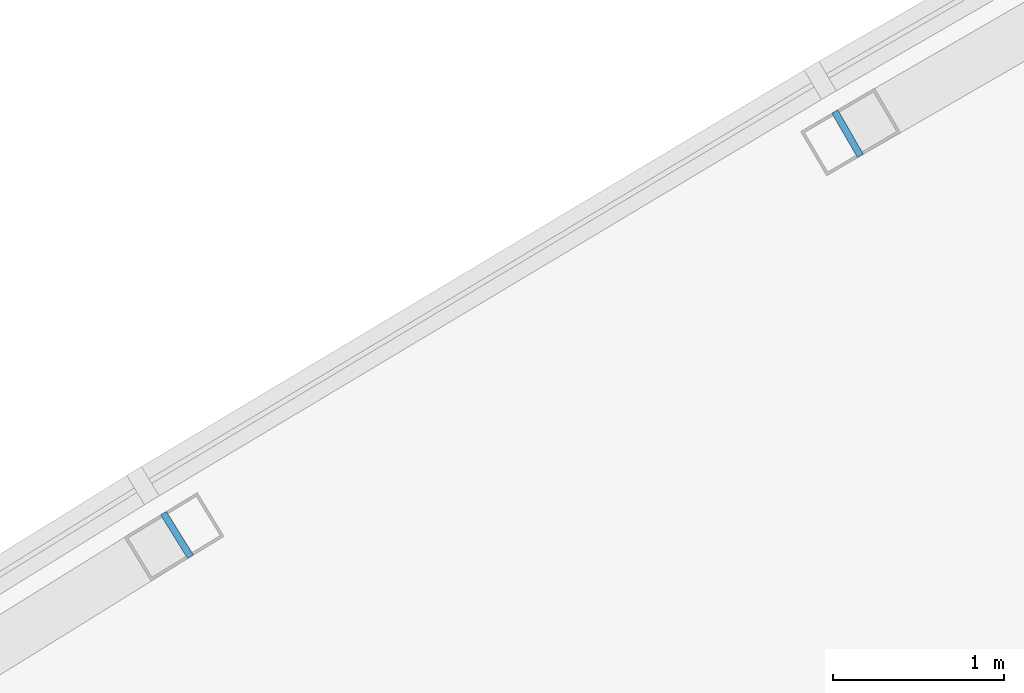
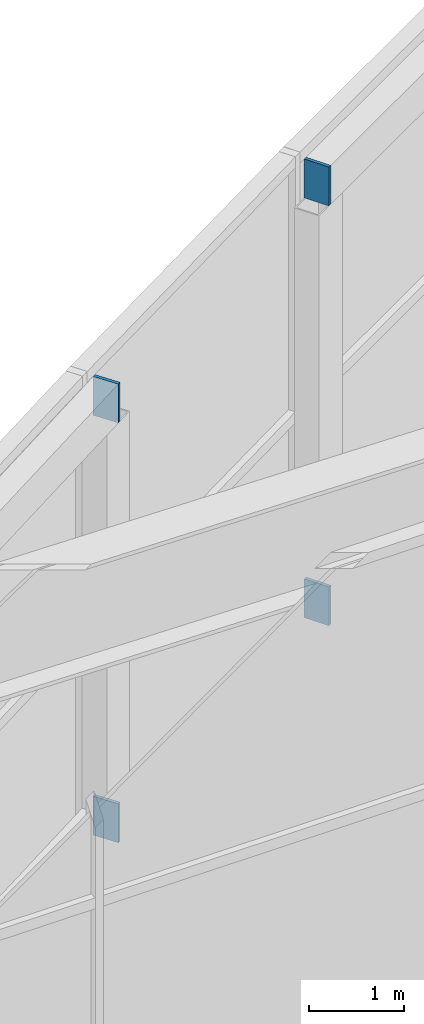
# One storey, part 4 of 4: 4 plates.
"""IFC4 building model written with IfcOpenShell, lengths in metres."""

from ifc_helpers import new_model, si_unit, direction, frame, origin, origin_2d, place, context, subcontext, project, spatial, rectangle, extrude, material, layer, layer_set, type_object, element, save


model = new_model("IFC4")

# Units and contexts
model_context = context("Model", 3, precision=1e-05, world=origin(), true_north=direction((0.0, 1.0)))
body_context = subcontext(model_context, "Body", "Model", "MODEL_VIEW")
ifc_project = project(units=[si_unit("LENGTHUNIT", "METRE"), si_unit("AREAUNIT", "SQUARE_METRE"), si_unit("VOLUMEUNIT", "CUBIC_METRE"), si_unit("PLANEANGLEUNIT", "RADIAN"), si_unit("MASSUNIT", "GRAM", prefix="KILO")], contexts=[model_context])

# Site, building, storey
site_placement = place(None, origin())
site = spatial("IfcSite", under=ifc_project, at=site_placement, CompositionType="ELEMENT")
building_placement = place(site_placement, origin())
building = spatial("IfcBuilding", under=site, at=building_placement, Name="Tamra Quay Hotel Tower", CompositionType="ELEMENT")
storey_placement = place(building_placement, frame((0.0, 0.0, 338.60009765625)))
storey = spatial("IfcBuildingStorey", under=building, at=storey_placement, Name="Roof crown 6", CompositionType="ELEMENT", Elevation=338.60009765625)

# Plates
ifc_material = material(Name="Structural steel IS 2062 E350", Category="steel")
ifc_layer = layer(ifc_material, 0.0400390625)
ifc_layer_set = layer_set([ifc_layer], Name="CROWN BEAM END PLATE 40")
plate_type = type_object("IfcPlateType", Name="CROWN BEAM END PLATE 40", PredefinedType="SHEET", material=ifc_layer_set)
for number, where, z_axis, x_axis, name in (
    (1, (-13.748291015625, 10.03271484375, 4.64990234375), (0.0, 0.0, 1.0), (-0.849984651178, -0.526807453214, 0.0), "CF-A-EPM00S"),
    (2, (-9.829345703125, 12.377685546875, 4.64990234375), (0.0, 0.0, 1.0), (-0.866026276448, -0.4999984885, 0.0), "CF-A-EPM09E"),
    (3, (-13.748291015625, 10.03271484375, 10.0498046875), (0.0, 0.0, 1.0), (-0.849984651178, -0.526807453214, 0.0), "CF-A-EP00S"),
    (4, (-9.829345703125, 12.377685546875, 10.0498046875), (0.0, 0.0, 1.0), (-0.866026276448, -0.4999984885, 0.0), "CF-A-EP09E"),
):
    element("IfcPlate", number, at=place(storey_placement, frame(where, z_axis=z_axis, x_axis=x_axis)), inside=storey, type_object=plate_type, Name=name, PredefinedType="SHEET", context=body_context, shape_type="SweptSolid", body=[
        extrude(rectangle(XDim=0.0400390625, YDim=0.300048828125, at=origin_2d()), origin(), (0.0, 0.0, 1.0), 0.5),
    ])

save(model, "model.ifc")
